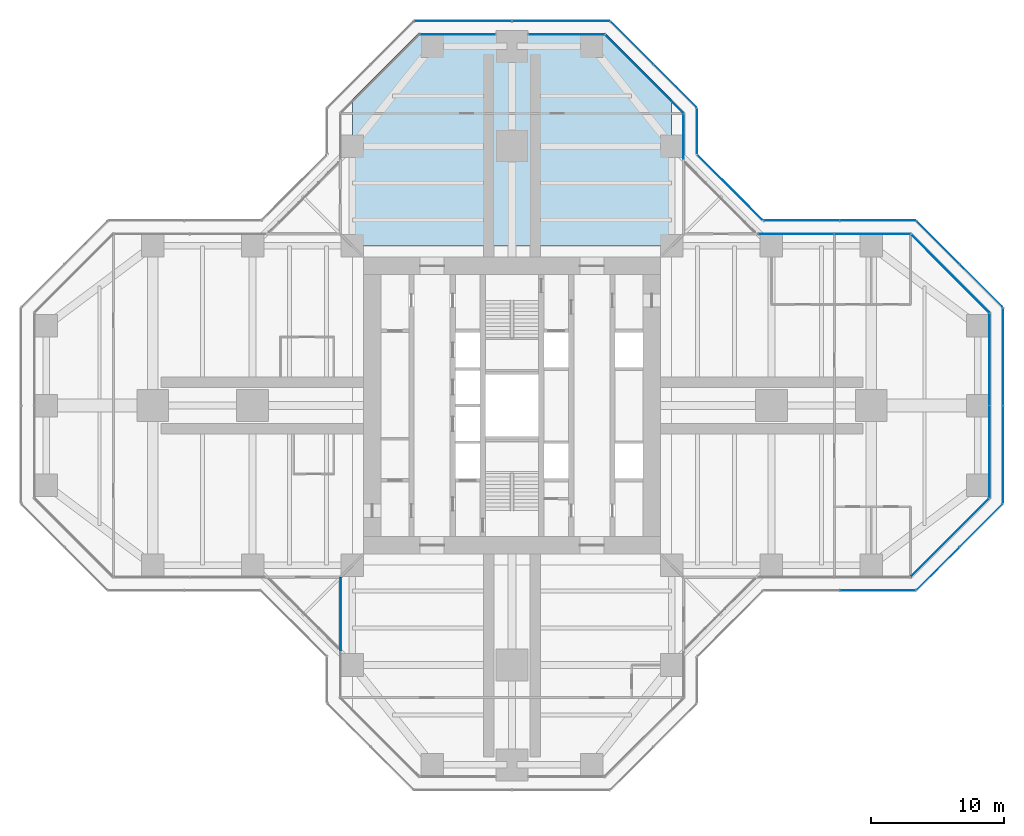
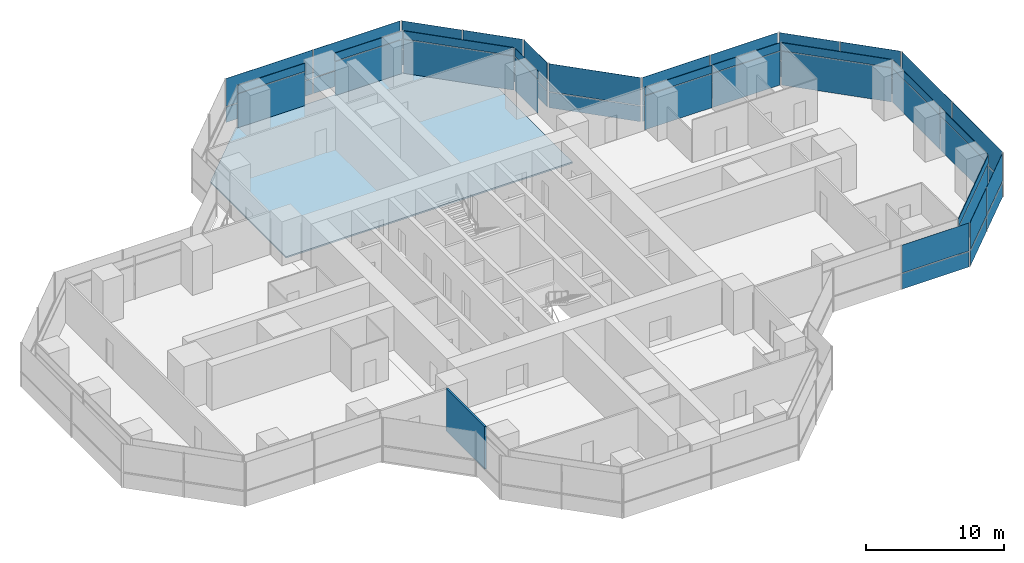
# One storey, part 14 of 19: 50 plates, 1 slab, 1 wall, 17 elements without a shape of their own.
"""IFC4 building model written with IfcOpenShell, lengths in metres."""

from ifc_helpers import new_model, si_unit, direction, frame, frame_2d, origin, origin_2d, place, context, subcontext, project, spatial, polyline, rectangle, outline, extrude, material, layer, layer_set, type_object, element, aggregate, save


model = new_model("IFC4")

# Units and contexts
model_context = context("Model", 3, precision=1e-05, world=origin(), true_north=direction((0.0, 1.0)))
body_context = subcontext(model_context, "Body", "Model", "MODEL_VIEW")
ifc_project = project(units=[si_unit("LENGTHUNIT", "METRE"), si_unit("AREAUNIT", "SQUARE_METRE"), si_unit("VOLUMEUNIT", "CUBIC_METRE"), si_unit("PLANEANGLEUNIT", "RADIAN"), si_unit("MASSUNIT", "GRAM", prefix="KILO")], contexts=[model_context])

# Site, building, storey
site_placement = place(None, origin())
site = spatial("IfcSite", under=ifc_project, at=site_placement, CompositionType="ELEMENT")
building_placement = place(site_placement, origin())
building = spatial("IfcBuilding", under=site, at=building_placement, Name="Mizan Broadcast Tower", CompositionType="ELEMENT")
storey_placement = place(building_placement, frame((0.0, 0.0, 132.0)))
storey = spatial("IfcBuildingStorey", under=building, at=storey_placement, Name="L29", CompositionType="ELEMENT", Elevation=132.0)

# Slab
ifc_material_1 = material(Name="Concrete C32/40", Category="concrete")
ifc_layer_1 = layer(ifc_material_1, 0.1298828125)
ifc_layer_set_1 = layer_set([ifc_layer_1], Name="Concrete C32/40")
slab_type = type_object("IfcSlabType", Name="COMPOSITE DECK SLAB 130", PredefinedType="FLOOR", material=ifc_layer_set_1)
slab_placement = place(storey_placement, frame((0.0, 0.0, -0.1298828125)))
element("IfcSlab", 1, at=slab_placement, inside=storey, type_object=slab_type, Name="Floor slab L29 north arm", PredefinedType="FLOOR", context=body_context, shape_type="SweptSolid", body=[
    extrude(outline(polyline([(-7.0, 28.0), (-12.0, 23.0), (-12.0, 12.0), (12.0, 12.0), (12.0, 23.0), (7.0, 28.0), (-7.0, 28.0)])), origin(), (0.0, 0.0, 1.0), 0.1298828125),
])

# Curtain wall, plate
ifc_material_2 = material(Name="Aluminium framed glazing", Category="aluminium")
curtain_wall_type_1 = type_object("IfcCurtainWallType", Name="INNER SKIN MID ZONE", PredefinedType="USERDEFINED", material=ifc_material_2)
curtain_wall_1_placement = place(storey_placement, origin())
curtain_wall_1 = element("IfcCurtainWall", 2, at=curtain_wall_1_placement, inside=storey, type_object=curtain_wall_type_1, Name="Inner skin mid zone L29 E chamfer", ObjectType="INNER SKIN MID ZONE", PredefinedType="USERDEFINED")
ifc_material_3 = material(Name="Double glazing, clear low-e", Category="glass")
ifc_layer_2 = layer(ifc_material_3, 0.028076171875)
ifc_layer_set_2 = layer_set([ifc_layer_2], Name="Double glazing, clear low-e")
plate_type_1 = type_object("IfcPlateType", Name="INNER SKIN GLAZING UNIT", PredefinedType="CURTAIN_PANEL", material=ifc_layer_set_2)
plate_1_placement = place(storey_placement, frame((32.92919921875, -9.92919921875, 0.0), z_axis=(0.0, 0.0, 1.0), x_axis=(0.707106781187, 0.707106781187, 0.0)))
plate_1 = element("IfcPlate", 3, at=plate_1_placement, type_object=plate_type_1, Name="Inner skin mid zone L29 E chamfer panel 1.1", PredefinedType="CURTAIN_PANEL", context=body_context, shape_type="SweptSolid", body=[
    extrude(rectangle(XDim=8.282470703125, YDim=0.028076171875, at=origin_2d()), origin(), (0.0, 0.0, 1.0), 3.0),
])

# Curtain wall, plates
curtain_wall_2_placement = place(storey_placement, origin())
curtain_wall_2 = element("IfcCurtainWall", 4, at=curtain_wall_2_placement, inside=storey, type_object=curtain_wall_type_1, Name="Inner skin mid zone L29 E end", ObjectType="INNER SKIN MID ZONE", PredefinedType="USERDEFINED")
plate_2_placement = place(storey_placement, frame((35.89990234375, -3.46435546875, 0.0), z_axis=(0.0, 0.0, 1.0), x_axis=(0.0, 1.0, 0.0)))
plate_2 = element("IfcPlate", 5, at=plate_2_placement, type_object=plate_type_1, Name="Inner skin mid zone L29 E end panel 1.1", PredefinedType="CURTAIN_PANEL", context=body_context, shape_type="SweptSolid", body=[
    extrude(rectangle(XDim=6.86865234375, YDim=0.028076171875, at=origin_2d()), origin(), (0.0, 0.0, 1.0), 3.0),
])
plate_3_placement = place(storey_placement, frame((35.89990234375, 3.46435546875, 0.0), z_axis=(0.0, 0.0, 1.0), x_axis=(0.0, 1.0, 0.0)))
plate_3 = element("IfcPlate", 6, at=plate_3_placement, type_object=plate_type_1, Name="Inner skin mid zone L29 E end panel 2.1", PredefinedType="CURTAIN_PANEL", context=body_context, shape_type="SweptSolid", body=[
    extrude(rectangle(XDim=6.86865234375, YDim=0.028076171875, at=origin_2d()), origin(), (0.0, 0.0, 1.0), 3.0),
])

# Curtain wall, plate
curtain_wall_3_placement = place(storey_placement, origin())
curtain_wall_3 = element("IfcCurtainWall", 7, at=curtain_wall_3_placement, inside=storey, type_object=curtain_wall_type_1, Name="Inner skin mid zone L29 E chamfer", ObjectType="INNER SKIN MID ZONE", PredefinedType="USERDEFINED")
plate_4_placement = place(storey_placement, frame((32.92919921875, 9.92919921875, 0.0), z_axis=(0.0, 0.0, 1.0), x_axis=(-0.707106781187, 0.707106781187, 0.0)))
plate_4 = element("IfcPlate", 8, at=plate_4_placement, type_object=plate_type_1, Name="Inner skin mid zone L29 E chamfer panel 1.1", PredefinedType="CURTAIN_PANEL", context=body_context, shape_type="SweptSolid", body=[
    extrude(rectangle(XDim=8.282470703125, YDim=0.028076171875, at=origin_2d()), origin(), (0.0, 0.0, 1.0), 3.0),
])

# Curtain wall, plates
curtain_wall_4_placement = place(storey_placement, origin())
curtain_wall_4 = element("IfcCurtainWall", 9, at=curtain_wall_4_placement, inside=storey, type_object=curtain_wall_type_1, Name="Inner skin mid zone L29 E side", ObjectType="INNER SKIN MID ZONE", PredefinedType="USERDEFINED")
plate_5_placement = place(storey_placement, frame((27.078857421875, 12.89990234375, 0.0), z_axis=(0.0, 0.0, 1.0), x_axis=(-1.0, 0.0, 0.0)))
plate_5 = element("IfcPlate", 10, at=plate_5_placement, type_object=plate_type_1, Name="Inner skin mid zone L29 E side panel 1.1", PredefinedType="CURTAIN_PANEL", context=body_context, shape_type="SweptSolid", body=[
    extrude(rectangle(XDim=5.639404296875, YDim=0.028076171875, at=origin_2d()), origin(), (0.0, 0.0, 1.0), 3.0),
])
plate_6_placement = place(storey_placement, frame((21.379638671875, 12.89990234375, 0.0), z_axis=(0.0, 0.0, 1.0), x_axis=(-1.0, 0.0, 0.0)))
plate_6 = element("IfcPlate", 11, at=plate_6_placement, type_object=plate_type_1, Name="Inner skin mid zone L29 E side panel 2.1", PredefinedType="CURTAIN_PANEL", context=body_context, shape_type="SweptSolid", body=[
    extrude(rectangle(XDim=5.639404296875, YDim=0.028076171875, at=origin_2d()), origin(), (0.0, 0.0, 1.0), 3.0),
])

# Curtain wall, plate
curtain_wall_5_placement = place(storey_placement, origin())
curtain_wall_5 = element("IfcCurtainWall", 12, at=curtain_wall_5_placement, inside=storey, type_object=curtain_wall_type_1, Name="Inner skin mid zone L29 N side", ObjectType="INNER SKIN MID ZONE", PredefinedType="USERDEFINED")
plate_7_placement = place(storey_placement, frame((12.89990234375, 20.229248046875, 0.0), z_axis=(0.0, 0.0, 1.0), x_axis=(0.0, 1.0, 0.0)))
plate_7 = element("IfcPlate", 13, at=plate_7_placement, type_object=plate_type_1, Name="Inner skin mid zone L29 N side panel 1.1", PredefinedType="CURTAIN_PANEL", context=body_context, shape_type="SweptSolid", body=[
    extrude(rectangle(XDim=3.338623046875, YDim=0.028076171875, at=origin_2d()), origin(), (0.0, 0.0, 1.0), 3.0),
])

curtain_wall_6_placement = place(storey_placement, origin())
curtain_wall_6 = element("IfcCurtainWall", 14, at=curtain_wall_6_placement, inside=storey, type_object=curtain_wall_type_1, Name="Inner skin mid zone L29 N chamfer", ObjectType="INNER SKIN MID ZONE", PredefinedType="USERDEFINED")
plate_8_placement = place(storey_placement, frame((9.92919921875, 24.92919921875, 0.0), z_axis=(0.0, 0.0, 1.0), x_axis=(-0.707106781187, 0.707106781187, 0.0)))
plate_8 = element("IfcPlate", 15, at=plate_8_placement, type_object=plate_type_1, Name="Inner skin mid zone L29 N chamfer panel 1.1", PredefinedType="CURTAIN_PANEL", context=body_context, shape_type="SweptSolid", body=[
    extrude(rectangle(XDim=8.282470703125, YDim=0.028076171875, at=origin_2d()), origin(), (0.0, 0.0, 1.0), 3.0),
])

curtain_wall_7_placement = place(storey_placement, origin())
curtain_wall_7 = element("IfcCurtainWall", 16, at=curtain_wall_7_placement, inside=storey, type_object=curtain_wall_type_1, Name="Inner skin mid zone L29 N end", ObjectType="INNER SKIN MID ZONE", PredefinedType="USERDEFINED")
plate_9_placement = place(storey_placement, frame((4.079345703125, 27.89990234375, 0.0), z_axis=(0.0, 0.0, 1.0), x_axis=(-1.0, 0.0, 0.0)))
plate_9 = element("IfcPlate", 17, at=plate_9_placement, type_object=plate_type_1, Name="Inner skin mid zone L29 N end panel 1.1", PredefinedType="CURTAIN_PANEL", context=body_context, shape_type="SweptSolid", body=[
    extrude(rectangle(XDim=5.638671875, YDim=0.028076171875, at=origin_2d()), origin(), (0.0, 0.0, 1.0), 3.0),
])

curtain_wall_8_placement = place(storey_placement, origin())
curtain_wall_8 = element("IfcCurtainWall", 18, at=curtain_wall_8_placement, inside=storey, type_object=curtain_wall_type_1, Name="Inner skin mid zone L29 N end", ObjectType="INNER SKIN MID ZONE", PredefinedType="USERDEFINED")
plate_10_placement = place(storey_placement, frame((-4.079345703125, 27.89990234375, 0.0), z_axis=(0.0, 0.0, 1.0), x_axis=(-1.0, 0.0, 0.0)))
plate_10 = element("IfcPlate", 19, at=plate_10_placement, type_object=plate_type_1, Name="Inner skin mid zone L29 N end panel 1.1", PredefinedType="CURTAIN_PANEL", context=body_context, shape_type="SweptSolid", body=[
    extrude(rectangle(XDim=5.638671875, YDim=0.028076171875, at=origin_2d()), origin(), (0.0, 0.0, 1.0), 3.0),
])

# Plate
ifc_material_4 = material(Name="Insulated aluminium spandrel panel, pale anodised", Category="aluminium")
ifc_layer_3 = layer(ifc_material_4, 0.050048828125)
ifc_layer_set_3 = layer_set([ifc_layer_3], Name="Insulated aluminium spandrel panel, pale anodised")
plate_type_2 = type_object("IfcPlateType", Name="INNER SKIN SPANDREL PANEL", PredefinedType="CURTAIN_PANEL", material=ifc_layer_set_3)
plate_11_placement = place(storey_placement, frame((32.92919921875, -9.92919921875, 3.06005859375), z_axis=(0.0, 0.0, 1.0), x_axis=(0.707106781187, 0.707106781187, 0.0)))
plate_11 = element("IfcPlate", 20, at=plate_11_placement, type_object=plate_type_2, Name="Inner skin mid zone L29 E chamfer panel 1.2", PredefinedType="CURTAIN_PANEL", context=body_context, shape_type="SweptSolid", body=[
    extrude(rectangle(XDim=8.282470703125, YDim=0.050048828125, at=origin_2d()), origin(), (0.0, 0.0, 1.0), 0.7099609375),
])

aggregate(curtain_wall_1, [plate_1, plate_11])

plate_12_placement = place(storey_placement, frame((35.89990234375, -3.46435546875, 3.06005859375), z_axis=(0.0, 0.0, 1.0), x_axis=(0.0, 1.0, 0.0)))
plate_12 = element("IfcPlate", 21, at=plate_12_placement, type_object=plate_type_2, Name="Inner skin mid zone L29 E end panel 1.2", PredefinedType="CURTAIN_PANEL", context=body_context, shape_type="SweptSolid", body=[
    extrude(rectangle(XDim=6.86865234375, YDim=0.050048828125, at=origin_2d()), origin(), (0.0, 0.0, 1.0), 0.7099609375),
])

plate_13_placement = place(storey_placement, frame((35.89990234375, 3.46435546875, 3.06005859375), z_axis=(0.0, 0.0, 1.0), x_axis=(0.0, 1.0, 0.0)))
plate_13 = element("IfcPlate", 22, at=plate_13_placement, type_object=plate_type_2, Name="Inner skin mid zone L29 E end panel 2.2", PredefinedType="CURTAIN_PANEL", context=body_context, shape_type="SweptSolid", body=[
    extrude(rectangle(XDim=6.86865234375, YDim=0.050048828125, at=origin_2d()), origin(), (0.0, 0.0, 1.0), 0.7099609375),
])

aggregate(curtain_wall_2, [plate_2, plate_12, plate_3, plate_13])

plate_14_placement = place(storey_placement, frame((32.92919921875, 9.92919921875, 3.06005859375), z_axis=(0.0, 0.0, 1.0), x_axis=(-0.707106781187, 0.707106781187, 0.0)))
plate_14 = element("IfcPlate", 23, at=plate_14_placement, type_object=plate_type_2, Name="Inner skin mid zone L29 E chamfer panel 1.2", PredefinedType="CURTAIN_PANEL", context=body_context, shape_type="SweptSolid", body=[
    extrude(rectangle(XDim=8.282470703125, YDim=0.050048828125, at=origin_2d()), origin(), (0.0, 0.0, 1.0), 0.7099609375),
])

aggregate(curtain_wall_3, [plate_4, plate_14])

plate_15_placement = place(storey_placement, frame((27.078857421875, 12.89990234375, 3.06005859375), z_axis=(0.0, 0.0, 1.0), x_axis=(-1.0, 0.0, 0.0)))
plate_15 = element("IfcPlate", 24, at=plate_15_placement, type_object=plate_type_2, Name="Inner skin mid zone L29 E side panel 1.2", PredefinedType="CURTAIN_PANEL", context=body_context, shape_type="SweptSolid", body=[
    extrude(rectangle(XDim=5.639404296875, YDim=0.050048828125, at=origin_2d()), origin(), (0.0, 0.0, 1.0), 0.7099609375),
])

plate_16_placement = place(storey_placement, frame((21.379638671875, 12.89990234375, 3.06005859375), z_axis=(0.0, 0.0, 1.0), x_axis=(-1.0, 0.0, 0.0)))
plate_16 = element("IfcPlate", 25, at=plate_16_placement, type_object=plate_type_2, Name="Inner skin mid zone L29 E side panel 2.2", PredefinedType="CURTAIN_PANEL", context=body_context, shape_type="SweptSolid", body=[
    extrude(rectangle(XDim=5.639404296875, YDim=0.050048828125, at=origin_2d()), origin(), (0.0, 0.0, 1.0), 0.7099609375),
])

aggregate(curtain_wall_4, [plate_5, plate_15, plate_6, plate_16])

plate_17_placement = place(storey_placement, frame((12.89990234375, 20.229248046875, 3.06005859375), z_axis=(0.0, 0.0, 1.0), x_axis=(0.0, 1.0, 0.0)))
plate_17 = element("IfcPlate", 26, at=plate_17_placement, type_object=plate_type_2, Name="Inner skin mid zone L29 N side panel 1.2", PredefinedType="CURTAIN_PANEL", context=body_context, shape_type="SweptSolid", body=[
    extrude(rectangle(XDim=3.338623046875, YDim=0.050048828125, at=origin_2d()), origin(), (0.0, 0.0, 1.0), 0.7099609375),
])

aggregate(curtain_wall_5, [plate_7, plate_17])

plate_18_placement = place(storey_placement, frame((9.92919921875, 24.92919921875, 3.06005859375), z_axis=(0.0, 0.0, 1.0), x_axis=(-0.707106781187, 0.707106781187, 0.0)))
plate_18 = element("IfcPlate", 27, at=plate_18_placement, type_object=plate_type_2, Name="Inner skin mid zone L29 N chamfer panel 1.2", PredefinedType="CURTAIN_PANEL", context=body_context, shape_type="SweptSolid", body=[
    extrude(rectangle(XDim=8.282470703125, YDim=0.050048828125, at=origin_2d()), origin(), (0.0, 0.0, 1.0), 0.7099609375),
])

aggregate(curtain_wall_6, [plate_8, plate_18])

plate_19_placement = place(storey_placement, frame((4.079345703125, 27.89990234375, 3.06005859375), z_axis=(0.0, 0.0, 1.0), x_axis=(-1.0, 0.0, 0.0)))
plate_19 = element("IfcPlate", 28, at=plate_19_placement, type_object=plate_type_2, Name="Inner skin mid zone L29 N end panel 1.2", PredefinedType="CURTAIN_PANEL", context=body_context, shape_type="SweptSolid", body=[
    extrude(rectangle(XDim=5.638671875, YDim=0.050048828125, at=origin_2d()), origin(), (0.0, 0.0, 1.0), 0.7099609375),
])

aggregate(curtain_wall_7, [plate_9, plate_19])

plate_20_placement = place(storey_placement, frame((-4.079345703125, 27.89990234375, 3.06005859375), z_axis=(0.0, 0.0, 1.0), x_axis=(-1.0, 0.0, 0.0)))
plate_20 = element("IfcPlate", 29, at=plate_20_placement, type_object=plate_type_2, Name="Inner skin mid zone L29 N end panel 1.2", PredefinedType="CURTAIN_PANEL", context=body_context, shape_type="SweptSolid", body=[
    extrude(rectangle(XDim=5.638671875, YDim=0.050048828125, at=origin_2d()), origin(), (0.0, 0.0, 1.0), 0.7099609375),
])

aggregate(curtain_wall_8, [plate_10, plate_20])

# Curtain wall, plates
ifc_material_5 = material(Name="Aluminium framed glazing", Category="aluminium")
curtain_wall_type_2 = type_object("IfcCurtainWallType", Name="OUTER SKIN", PredefinedType="USERDEFINED", material=ifc_material_5)
curtain_wall_9_placement = place(storey_placement, origin())
curtain_wall_9 = element("IfcCurtainWall", 30, at=curtain_wall_9_placement, inside=storey, type_object=curtain_wall_type_2, Name="Outer skin L29 E chamfer", ObjectType="OUTER SKIN", PredefinedType="USERDEFINED")
ifc_material_6 = material(Name="Laminated clear glass", Category="glass")
ifc_layer_4 = layer(ifc_material_6, 0.02001953125)
ifc_layer_set_4 = layer_set([ifc_layer_4], Name="Laminated clear glass")
plate_type_3 = type_object("IfcPlateType", Name="OUTER SKIN CLEAR GLASS", PredefinedType="CURTAIN_PANEL", material=ifc_layer_set_4)
plate_21_placement = place(storey_placement, frame((32.018798828125, -12.254150390625, 0.0), z_axis=(0.0, 0.0, 1.0), x_axis=(0.707106781187, 0.707106781187, 0.0)))
plate_21 = element("IfcPlate", 31, at=plate_21_placement, type_object=plate_type_3, Name="Outer skin L29 E chamfer panel 1.1", PredefinedType="CURTAIN_PANEL", context=body_context, shape_type="SweptSolid", body=[
    extrude(rectangle(XDim=4.495361328125, YDim=0.02001953125, at=origin_2d()), origin(), (0.0, 0.0, 1.0), 1.3701171875),
])
plate_22_placement = place(storey_placement, frame((32.018798828125, -12.254150390625, 1.43017578125), z_axis=(0.0, 0.0, 1.0), x_axis=(0.707106781187, 0.707106781187, 0.0)))
plate_22 = element("IfcPlate", 32, at=plate_22_placement, type_object=plate_type_3, Name="Outer skin L29 E chamfer panel 1.2", PredefinedType="CURTAIN_PANEL", context=body_context, shape_type="SweptSolid", body=[
    extrude(rectangle(XDim=4.495361328125, YDim=0.02001953125, at=origin_2d()), origin(), (0.0, 0.0, 1.0), 2.469970703125),
])

curtain_wall_10_placement = place(storey_placement, origin())
curtain_wall_10 = element("IfcCurtainWall", 33, at=curtain_wall_10_placement, inside=storey, type_object=curtain_wall_type_2, Name="Outer skin L29 E end", ObjectType="OUTER SKIN", PredefinedType="USERDEFINED")
plate_23_placement = place(storey_placement, frame((36.89990234375, -3.66650390625, 0.0), z_axis=(0.0, 0.0, 1.0), x_axis=(0.0, 1.0, 0.0)))
plate_23 = element("IfcPlate", 34, at=plate_23_placement, type_object=plate_type_3, Name="Outer skin L29 E end panel 1.1", PredefinedType="CURTAIN_PANEL", context=body_context, shape_type="SweptSolid", body=[
    extrude(rectangle(XDim=7.252685546875, YDim=0.02001953125, at=origin_2d()), origin(), (0.0, 0.0, 1.0), 1.3701171875),
])
plate_24_placement = place(storey_placement, frame((36.89990234375, -3.66650390625, 1.43017578125), z_axis=(0.0, 0.0, 1.0), x_axis=(0.0, 1.0, 0.0)))
plate_24 = element("IfcPlate", 35, at=plate_24_placement, type_object=plate_type_3, Name="Outer skin L29 E end panel 1.2", PredefinedType="CURTAIN_PANEL", context=body_context, shape_type="SweptSolid", body=[
    extrude(rectangle(XDim=7.252685546875, YDim=0.02001953125, at=origin_2d()), origin(), (0.0, 0.0, 1.0), 2.469970703125),
])

curtain_wall_11_placement = place(storey_placement, origin())
curtain_wall_11 = element("IfcCurtainWall", 36, at=curtain_wall_11_placement, inside=storey, type_object=curtain_wall_type_2, Name="Outer skin L29 E chamfer", ObjectType="OUTER SKIN", PredefinedType="USERDEFINED")
plate_25_placement = place(storey_placement, frame((35.254150390625, 9.018798828125, 0.0), z_axis=(0.0, 0.0, 1.0), x_axis=(-0.707106781187, 0.707106781187, 0.0)))
plate_25 = element("IfcPlate", 37, at=plate_25_placement, type_object=plate_type_3, Name="Outer skin L29 E chamfer panel 1.1", PredefinedType="CURTAIN_PANEL", context=body_context, shape_type="SweptSolid", body=[
    extrude(rectangle(XDim=4.495361328125, YDim=0.02001953125, at=origin_2d()), origin(), (0.0, 0.0, 1.0), 1.3701171875),
])
plate_26_placement = place(storey_placement, frame((35.254150390625, 9.018798828125, 1.43017578125), z_axis=(0.0, 0.0, 1.0), x_axis=(-0.707106781187, 0.707106781187, 0.0)))
plate_26 = element("IfcPlate", 38, at=plate_26_placement, type_object=plate_type_3, Name="Outer skin L29 E chamfer panel 1.2", PredefinedType="CURTAIN_PANEL", context=body_context, shape_type="SweptSolid", body=[
    extrude(rectangle(XDim=4.495361328125, YDim=0.02001953125, at=origin_2d()), origin(), (0.0, 0.0, 1.0), 2.469970703125),
])

curtain_wall_12_placement = place(storey_placement, origin())
curtain_wall_12 = element("IfcCurtainWall", 39, at=curtain_wall_12_placement, inside=storey, type_object=curtain_wall_type_2, Name="Outer skin L29 E side", ObjectType="OUTER SKIN", PredefinedType="USERDEFINED")
plate_27_placement = place(storey_placement, frame((27.477783203125, 13.89990234375, 0.0), z_axis=(0.0, 0.0, 1.0), x_axis=(-1.0, 0.0, 0.0)))
plate_27 = element("IfcPlate", 40, at=plate_27_placement, type_object=plate_type_3, Name="Outer skin L29 E side panel 1.1", PredefinedType="CURTAIN_PANEL", context=body_context, shape_type="SweptSolid", body=[
    extrude(rectangle(XDim=5.6298828125, YDim=0.02001953125, at=origin_2d()), origin(), (0.0, 0.0, 1.0), 1.3701171875),
])
plate_28_placement = place(storey_placement, frame((27.477783203125, 13.89990234375, 1.43017578125), z_axis=(0.0, 0.0, 1.0), x_axis=(-1.0, 0.0, 0.0)))
plate_28 = element("IfcPlate", 41, at=plate_28_placement, type_object=plate_type_3, Name="Outer skin L29 E side panel 1.2", PredefinedType="CURTAIN_PANEL", context=body_context, shape_type="SweptSolid", body=[
    extrude(rectangle(XDim=5.6298828125, YDim=0.02001953125, at=origin_2d()), origin(), (0.0, 0.0, 1.0), 2.469970703125),
])
plate_29_placement = place(storey_placement, frame((21.767822265625, 13.89990234375, 0.0), z_axis=(0.0, 0.0, 1.0), x_axis=(-1.0, 0.0, 0.0)))
plate_29 = element("IfcPlate", 42, at=plate_29_placement, type_object=plate_type_3, Name="Outer skin L29 E side panel 2.1", PredefinedType="CURTAIN_PANEL", context=body_context, shape_type="SweptSolid", body=[
    extrude(rectangle(XDim=5.6298828125, YDim=0.02001953125, at=origin_2d()), origin(), (0.0, 0.0, 1.0), 1.3701171875),
])
plate_30_placement = place(storey_placement, frame((21.767822265625, 13.89990234375, 1.43017578125), z_axis=(0.0, 0.0, 1.0), x_axis=(-1.0, 0.0, 0.0)))
plate_30 = element("IfcPlate", 43, at=plate_30_placement, type_object=plate_type_3, Name="Outer skin L29 E side panel 2.2", PredefinedType="CURTAIN_PANEL", context=body_context, shape_type="SweptSolid", body=[
    extrude(rectangle(XDim=5.6298828125, YDim=0.02001953125, at=origin_2d()), origin(), (0.0, 0.0, 1.0), 2.469970703125),
])
aggregate(curtain_wall_12, [plate_27, plate_28, plate_29, plate_30])

curtain_wall_13_placement = place(storey_placement, origin())
curtain_wall_13 = element("IfcCurtainWall", 44, at=curtain_wall_13_placement, inside=storey, type_object=curtain_wall_type_2, Name="Outer skin L29 E chamfer", ObjectType="OUTER SKIN", PredefinedType="USERDEFINED")
plate_31_placement = place(storey_placement, frame((16.386474609375, 16.386474609375, 0.0), z_axis=(0.0, 0.0, 1.0), x_axis=(-0.707106781187, 0.707106781187, 0.0)))
plate_31 = element("IfcPlate", 45, at=plate_31_placement, type_object=plate_type_3, Name="Outer skin L29 E chamfer panel 1.1", PredefinedType="CURTAIN_PANEL", context=body_context, shape_type="SweptSolid", body=[
    extrude(rectangle(XDim=6.87255859375, YDim=0.02001953125, at=origin_2d()), origin(), (0.0, 0.0, 1.0), 1.3701171875),
])
plate_32_placement = place(storey_placement, frame((16.386474609375, 16.386474609375, 1.43017578125), z_axis=(0.0, 0.0, 1.0), x_axis=(-0.707106781187, 0.707106781187, 0.0)))
plate_32 = element("IfcPlate", 46, at=plate_32_placement, type_object=plate_type_3, Name="Outer skin L29 E chamfer panel 1.2", PredefinedType="CURTAIN_PANEL", context=body_context, shape_type="SweptSolid", body=[
    extrude(rectangle(XDim=6.87255859375, YDim=0.02001953125, at=origin_2d()), origin(), (0.0, 0.0, 1.0), 2.469970703125),
])
aggregate(curtain_wall_13, [plate_31, plate_32])

curtain_wall_14_placement = place(storey_placement, origin())
curtain_wall_14 = element("IfcCurtainWall", 47, at=curtain_wall_14_placement, inside=storey, type_object=curtain_wall_type_2, Name="Outer skin L29 N side", ObjectType="OUTER SKIN", PredefinedType="USERDEFINED")
plate_33_placement = place(storey_placement, frame((13.89990234375, 20.622802734375, 0.0), z_axis=(0.0, 0.0, 1.0), x_axis=(0.0, 1.0, 0.0)))
plate_33 = element("IfcPlate", 48, at=plate_33_placement, type_object=plate_type_3, Name="Outer skin L29 N side panel 1.1", PredefinedType="CURTAIN_PANEL", context=body_context, shape_type="SweptSolid", body=[
    extrude(rectangle(XDim=3.340087890625, YDim=0.02001953125, at=origin_2d()), origin(), (0.0, 0.0, 1.0), 1.3701171875),
])
plate_34_placement = place(storey_placement, frame((13.89990234375, 20.622802734375, 1.43017578125), z_axis=(0.0, 0.0, 1.0), x_axis=(0.0, 1.0, 0.0)))
plate_34 = element("IfcPlate", 49, at=plate_34_placement, type_object=plate_type_3, Name="Outer skin L29 N side panel 1.2", PredefinedType="CURTAIN_PANEL", context=body_context, shape_type="SweptSolid", body=[
    extrude(rectangle(XDim=3.340087890625, YDim=0.02001953125, at=origin_2d()), origin(), (0.0, 0.0, 1.0), 2.469970703125),
])
aggregate(curtain_wall_14, [plate_33, plate_34])

curtain_wall_15_placement = place(storey_placement, origin())
curtain_wall_15 = element("IfcCurtainWall", 50, at=curtain_wall_15_placement, inside=storey, type_object=curtain_wall_type_2, Name="Outer skin L29 N chamfer", ObjectType="OUTER SKIN", PredefinedType="USERDEFINED")
plate_35_placement = place(storey_placement, frame((12.254150390625, 24.018798828125, 0.0), z_axis=(0.0, 0.0, 1.0), x_axis=(-0.707106781187, 0.707106781187, 0.0)))
plate_35 = element("IfcPlate", 51, at=plate_35_placement, type_object=plate_type_3, Name="Outer skin L29 N chamfer panel 1.1", PredefinedType="CURTAIN_PANEL", context=body_context, shape_type="SweptSolid", body=[
    extrude(rectangle(XDim=4.495361328125, YDim=0.02001953125, at=origin_2d()), origin(), (0.0, 0.0, 1.0), 1.3701171875),
])
plate_36_placement = place(storey_placement, frame((12.254150390625, 24.018798828125, 1.43017578125), z_axis=(0.0, 0.0, 1.0), x_axis=(-0.707106781187, 0.707106781187, 0.0)))
plate_36 = element("IfcPlate", 52, at=plate_36_placement, type_object=plate_type_3, Name="Outer skin L29 N chamfer panel 1.2", PredefinedType="CURTAIN_PANEL", context=body_context, shape_type="SweptSolid", body=[
    extrude(rectangle(XDim=4.495361328125, YDim=0.02001953125, at=origin_2d()), origin(), (0.0, 0.0, 1.0), 2.469970703125),
])

curtain_wall_16_placement = place(storey_placement, origin())
curtain_wall_16 = element("IfcCurtainWall", 53, at=curtain_wall_16_placement, inside=storey, type_object=curtain_wall_type_2, Name="Outer skin L29 N end", ObjectType="OUTER SKIN", PredefinedType="USERDEFINED")
plate_37_placement = place(storey_placement, frame((3.66650390625, 28.89990234375, 0.0), z_axis=(0.0, 0.0, 1.0), x_axis=(-1.0, 0.0, 0.0)))
plate_37 = element("IfcPlate", 54, at=plate_37_placement, type_object=plate_type_3, Name="Outer skin L29 N end panel 1.1", PredefinedType="CURTAIN_PANEL", context=body_context, shape_type="SweptSolid", body=[
    extrude(rectangle(XDim=7.252685546875, YDim=0.02001953125, at=origin_2d()), origin(), (0.0, 0.0, 1.0), 1.3701171875),
])
plate_38_placement = place(storey_placement, frame((3.66650390625, 28.89990234375, 1.43017578125), z_axis=(0.0, 0.0, 1.0), x_axis=(-1.0, 0.0, 0.0)))
plate_38 = element("IfcPlate", 55, at=plate_38_placement, type_object=plate_type_3, Name="Outer skin L29 N end panel 1.2", PredefinedType="CURTAIN_PANEL", context=body_context, shape_type="SweptSolid", body=[
    extrude(rectangle(XDim=7.252685546875, YDim=0.02001953125, at=origin_2d()), origin(), (0.0, 0.0, 1.0), 2.469970703125),
])
plate_39_placement = place(storey_placement, frame((-3.66650390625, 28.89990234375, 0.0), z_axis=(0.0, 0.0, 1.0), x_axis=(-1.0, 0.0, 0.0)))
plate_39 = element("IfcPlate", 56, at=plate_39_placement, type_object=plate_type_3, Name="Outer skin L29 N end panel 2.1", PredefinedType="CURTAIN_PANEL", context=body_context, shape_type="SweptSolid", body=[
    extrude(rectangle(XDim=7.252685546875, YDim=0.02001953125, at=origin_2d()), origin(), (0.0, 0.0, 1.0), 1.3701171875),
])
plate_40_placement = place(storey_placement, frame((-3.66650390625, 28.89990234375, 1.43017578125), z_axis=(0.0, 0.0, 1.0), x_axis=(-1.0, 0.0, 0.0)))
plate_40 = element("IfcPlate", 57, at=plate_40_placement, type_object=plate_type_3, Name="Outer skin L29 N end panel 2.2", PredefinedType="CURTAIN_PANEL", context=body_context, shape_type="SweptSolid", body=[
    extrude(rectangle(XDim=7.252685546875, YDim=0.02001953125, at=origin_2d()), origin(), (0.0, 0.0, 1.0), 2.469970703125),
])
aggregate(curtain_wall_16, [plate_37, plate_38, plate_39, plate_40])

# Plate
ifc_material_7 = material(Name="Perforated aluminium, pale anodised", Category="aluminium")
ifc_layer_5 = layer(ifc_material_7, 0.011962890625)
ifc_layer_set_5 = layer_set([ifc_layer_5], Name="Perforated aluminium, pale anodised")
plate_type_4 = type_object("IfcPlateType", Name="OUTER SKIN PERFORATED SCREEN", PredefinedType="USERDEFINED", material=ifc_layer_set_5)
plate_41_placement = place(storey_placement, frame((35.254150390625, -9.018798828125, 0.0), z_axis=(0.0, 0.0, 1.0), x_axis=(0.707106781187, 0.707106781187, 0.0)))
plate_41 = element("IfcPlate", 58, at=plate_41_placement, type_object=plate_type_4, Name="Outer skin L29 E chamfer panel 2.1", ObjectType="SCREEN", PredefinedType="USERDEFINED", context=body_context, shape_type="SweptSolid", body=[
    extrude(rectangle(XDim=4.495361328125, YDim=0.011962890625, at=origin_2d()), origin(), (0.0, 0.0, 1.0), 1.3701171875),
])

plate_42_placement = place(storey_placement, frame((35.254150390625, -9.018798828125, 1.43017578125), z_axis=(0.0, 0.0, 1.0), x_axis=(0.707106781187, 0.707106781187, 0.0)))
plate_42 = element("IfcPlate", 59, at=plate_42_placement, type_object=plate_type_4, Name="Outer skin L29 E chamfer panel 2.2", ObjectType="SCREEN", PredefinedType="USERDEFINED", context=body_context, shape_type="SweptSolid", body=[
    extrude(rectangle(XDim=4.495361328125, YDim=0.011962890625, at=origin_2d()), origin(), (0.0, 0.0, 1.0), 2.469970703125),
])

aggregate(curtain_wall_9, [plate_21, plate_22, plate_41, plate_42])

plate_43_placement = place(storey_placement, frame((36.89990234375, 3.66650390625, 0.0), z_axis=(0.0, 0.0, 1.0), x_axis=(0.0, 1.0, 0.0)))
plate_43 = element("IfcPlate", 60, at=plate_43_placement, type_object=plate_type_4, Name="Outer skin L29 E end panel 2.1", ObjectType="SCREEN", PredefinedType="USERDEFINED", context=body_context, shape_type="SweptSolid", body=[
    extrude(rectangle(XDim=7.252685546875, YDim=0.011962890625, at=origin_2d()), origin(), (0.0, 0.0, 1.0), 1.3701171875),
])

plate_44_placement = place(storey_placement, frame((36.89990234375, 3.66650390625, 1.43017578125), z_axis=(0.0, 0.0, 1.0), x_axis=(0.0, 1.0, 0.0)))
plate_44 = element("IfcPlate", 61, at=plate_44_placement, type_object=plate_type_4, Name="Outer skin L29 E end panel 2.2", ObjectType="SCREEN", PredefinedType="USERDEFINED", context=body_context, shape_type="SweptSolid", body=[
    extrude(rectangle(XDim=7.252685546875, YDim=0.011962890625, at=origin_2d()), origin(), (0.0, 0.0, 1.0), 2.469970703125),
])

aggregate(curtain_wall_10, [plate_23, plate_24, plate_43, plate_44])

plate_45_placement = place(storey_placement, frame((32.018798828125, 12.254150390625, 0.0), z_axis=(0.0, 0.0, 1.0), x_axis=(-0.707106781187, 0.707106781187, 0.0)))
plate_45 = element("IfcPlate", 62, at=plate_45_placement, type_object=plate_type_4, Name="Outer skin L29 E chamfer panel 2.1", ObjectType="SCREEN", PredefinedType="USERDEFINED", context=body_context, shape_type="SweptSolid", body=[
    extrude(rectangle(XDim=4.495361328125, YDim=0.011962890625, at=origin_2d()), origin(), (0.0, 0.0, 1.0), 1.3701171875),
])

plate_46_placement = place(storey_placement, frame((32.018798828125, 12.254150390625, 1.43017578125), z_axis=(0.0, 0.0, 1.0), x_axis=(-0.707106781187, 0.707106781187, 0.0)))
plate_46 = element("IfcPlate", 63, at=plate_46_placement, type_object=plate_type_4, Name="Outer skin L29 E chamfer panel 2.2", ObjectType="SCREEN", PredefinedType="USERDEFINED", context=body_context, shape_type="SweptSolid", body=[
    extrude(rectangle(XDim=4.495361328125, YDim=0.011962890625, at=origin_2d()), origin(), (0.0, 0.0, 1.0), 2.469970703125),
])

aggregate(curtain_wall_11, [plate_25, plate_26, plate_45, plate_46])

plate_47_placement = place(storey_placement, frame((9.018798828125, 27.254150390625, 0.0), z_axis=(0.0, 0.0, 1.0), x_axis=(-0.707106781187, 0.707106781187, 0.0)))
plate_47 = element("IfcPlate", 64, at=plate_47_placement, type_object=plate_type_4, Name="Outer skin L29 N chamfer panel 2.1", ObjectType="SCREEN", PredefinedType="USERDEFINED", context=body_context, shape_type="SweptSolid", body=[
    extrude(rectangle(XDim=4.495361328125, YDim=0.011962890625, at=origin_2d()), origin(), (0.0, 0.0, 1.0), 1.3701171875),
])

plate_48_placement = place(storey_placement, frame((9.018798828125, 27.254150390625, 1.43017578125), z_axis=(0.0, 0.0, 1.0), x_axis=(-0.707106781187, 0.707106781187, 0.0)))
plate_48 = element("IfcPlate", 65, at=plate_48_placement, type_object=plate_type_4, Name="Outer skin L29 N chamfer panel 2.2", ObjectType="SCREEN", PredefinedType="USERDEFINED", context=body_context, shape_type="SweptSolid", body=[
    extrude(rectangle(XDim=4.495361328125, YDim=0.011962890625, at=origin_2d()), origin(), (0.0, 0.0, 1.0), 2.469970703125),
])

aggregate(curtain_wall_15, [plate_35, plate_36, plate_47, plate_48])

# Curtain wall, plates
curtain_wall_17_placement = place(storey_placement, origin())
curtain_wall_17 = element("IfcCurtainWall", 66, at=curtain_wall_17_placement, inside=storey, type_object=curtain_wall_type_2, Name="Outer skin L29 E side", ObjectType="OUTER SKIN", PredefinedType="USERDEFINED")
plate_49_placement = place(storey_placement, frame((27.477783203125, -13.89990234375, 0.0), z_axis=(0.0, 0.0, 1.0), x_axis=(1.0, 0.0, 0.0)))
plate_49 = element("IfcPlate", 67, at=plate_49_placement, type_object=plate_type_4, Name="Outer skin L29 E side panel 2.1", ObjectType="SCREEN", PredefinedType="USERDEFINED", context=body_context, shape_type="SweptSolid", body=[
    extrude(rectangle(XDim=5.6298828125, YDim=0.011962890625, at=origin_2d()), origin(), (0.0, 0.0, 1.0), 1.3701171875),
])
plate_50_placement = place(storey_placement, frame((27.477783203125, -13.89990234375, 1.43017578125), z_axis=(0.0, 0.0, 1.0), x_axis=(1.0, 0.0, 0.0)))
plate_50 = element("IfcPlate", 68, at=plate_50_placement, type_object=plate_type_4, Name="Outer skin L29 E side panel 2.2", ObjectType="SCREEN", PredefinedType="USERDEFINED", context=body_context, shape_type="SweptSolid", body=[
    extrude(rectangle(XDim=5.6298828125, YDim=0.011962890625, at=origin_2d()), origin(), (0.0, 0.0, 1.0), 2.469970703125),
])
aggregate(curtain_wall_17, [plate_49, plate_50])

# Wall
ifc_material_8 = material(Name="Aluminium framed glazed screen", Category="aluminium")
ifc_layer_6 = layer(ifc_material_8, 0.159912109375)
ifc_layer_set_6 = layer_set([ifc_layer_6], Name="Aluminium framed glazed screen")
wall_type = type_object("IfcWallType", Name="GLAZED SCREEN WALL 160", PredefinedType="SOLIDWALL", material=ifc_layer_set_6)
wall_placement = place(storey_placement, frame((-12.89990234375, -12.89990234375, 0.0), z_axis=(0.0, 0.0, 1.0), x_axis=(0.0, -1.0, 0.0)))
element("IfcWall", 69, at=wall_placement, inside=storey, type_object=wall_type, Name="Winter garden screen L29 S", PredefinedType="SOLIDWALL", context=body_context, shape_type="SweptSolid", body=[
    extrude(rectangle(XDim=5.60009765625, YDim=0.159912109375, at=frame_2d((2.800048828125, 0.0))), origin(), (0.0, 0.0, 1.0), 3.77001953125),
])

save(model, "model.ifc")
